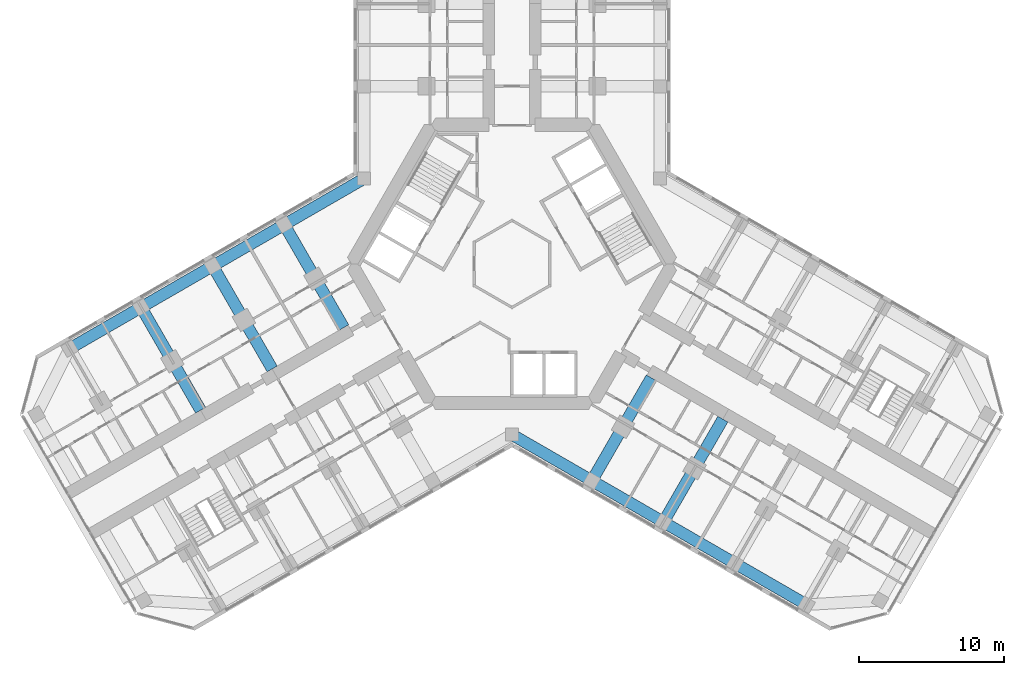
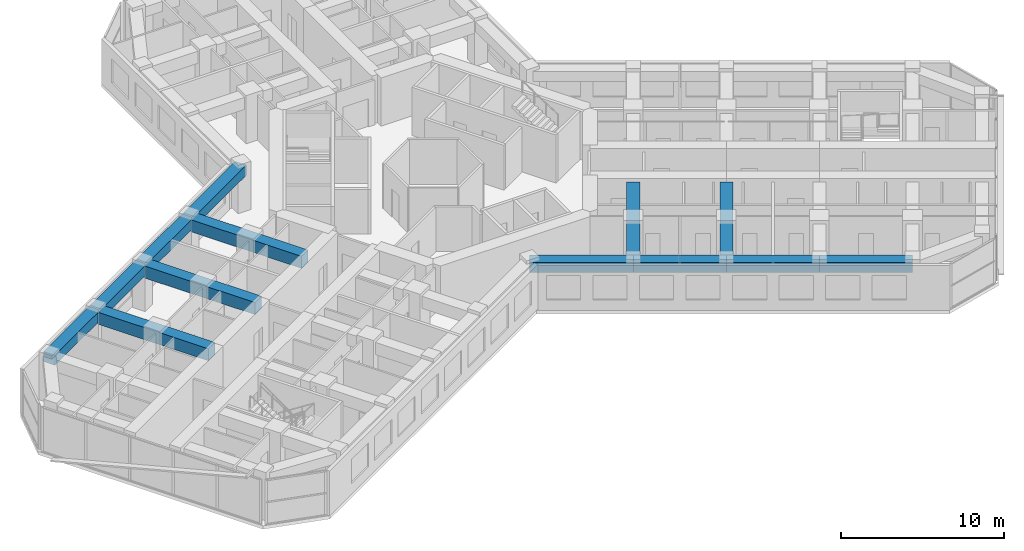
# One storey, part 4 of 19: 13 beams.
"""IFC4 building model written with IfcOpenShell, lengths in metres."""

from ifc_helpers import new_model, si_unit, direction, frame, origin, origin_2d, place, context, subcontext, project, spatial, rectangle, extrude, material, material_profile, profile_set, type_object, element, save


model = new_model("IFC4")

# Units and contexts
model_context = context("Model", 3, precision=1e-05, world=origin(), true_north=direction((0.0, 1.0)))
body_context = subcontext(model_context, "Body", "Model", "MODEL_VIEW")
ifc_project = project(units=[si_unit("LENGTHUNIT", "METRE"), si_unit("AREAUNIT", "SQUARE_METRE"), si_unit("VOLUMEUNIT", "CUBIC_METRE"), si_unit("PLANEANGLEUNIT", "RADIAN"), si_unit("MASSUNIT", "GRAM", prefix="KILO")], contexts=[model_context])

# Site, building, storey
site_placement = place(None, origin())
site = spatial("IfcSite", under=ifc_project, at=site_placement, CompositionType="ELEMENT")
building_placement = place(site_placement, origin())
building = spatial("IfcBuilding", under=site, at=building_placement, Name="Kosmar Iwan School Tower", CompositionType="ELEMENT")
storey_placement = place(building_placement, frame((0.0, 0.0, 168.800048828125)))
storey = spatial("IfcBuildingStorey", under=building, at=storey_placement, Name="L42", CompositionType="ELEMENT", Elevation=168.800048828125)

# Beams
ifc_material_1 = material(Name="Concrete C50/60", Category="concrete")
ifc_material_profile_1 = material_profile(ifc_material_1, rectangle(XDim=0.800048828125, YDim=0.75, at=origin_2d()), Name="RC 800x750")
ifc_profile_set_1 = profile_set([ifc_material_profile_1], Name="Concrete C50/60")
beam_type_1 = type_object("IfcBeamType", Name="RC edge beam 800x750", PredefinedType="BEAM", material=ifc_profile_set_1)
beam_1_placement = place(storey_placement, frame((-10.199951171875, 5.888916015625, 2.974853515625), z_axis=(-0.866030912664, -0.49999045822, 0.0), x_axis=(0.49999045822, -0.866030912664, 0.0)))
element("IfcBeam", 1, at=beam_1_placement, inside=storey, type_object=beam_type_1, Name="Edge beam BR1", PredefinedType="BEAM", context=body_context, shape_type="SweptSolid", body=[
    extrude(rectangle(XDim=0.800048828125, YDim=0.75, at=origin_2d()), origin(), (0.0, 0.0, 1.0), 6.36083984375),
])
beam_2_placement = place(storey_placement, frame((-15.708740234375, 2.70849609375, 2.974853515625), z_axis=(-0.866025820012, -0.499999279071, 0.0), x_axis=(0.499999279071, -0.866025820012, 0.0)))
element("IfcBeam", 2, at=beam_2_placement, inside=storey, type_object=beam_type_1, Name="Edge beam BR2", PredefinedType="BEAM", context=body_context, shape_type="SweptSolid", body=[
    extrude(rectangle(XDim=0.800048828125, YDim=0.75, at=origin_2d()), origin(), (0.0, 0.0, 1.0), 5.7001953125),
])
for number, where, z_axis, x_axis, name in (
    (3, (-20.645263671875, -0.1416015625, 2.974853515625), (-0.866033658841, -0.49998570155, 0.0), (0.49998570155, -0.866033658841, 0.0), "Edge beam BR3"),
    (4, (-25.58154296875, -2.991455078125, 2.974853515625), (-0.866015111908, -0.50001782563, 0.0), (0.50001782563, -0.866015111908, 0.0), "Edge beam BR4"),
):
    element("IfcBeam", number, at=place(storey_placement, frame(where, z_axis=z_axis, x_axis=x_axis)), inside=storey, type_object=beam_type_1, Name=name, PredefinedType="BEAM", context=body_context, shape_type="SweptSolid", body=[
        extrude(rectangle(XDim=0.800048828125, YDim=0.75, at=origin_2d()), origin(), (0.0, 0.0, 1.0), 5.699951171875),
    ])
beam_3_placement = place(storey_placement, frame((0.0, -11.77783203125, 2.974853515625), z_axis=(0.866014293216, -0.500019243575, 0.0), x_axis=(0.500019243575, 0.866014293216, 0.0)))
element("IfcBeam", 5, at=beam_3_placement, inside=storey, type_object=beam_type_1, Name="Edge beam CR1", PredefinedType="BEAM", context=body_context, shape_type="SweptSolid", body=[
    extrude(rectangle(XDim=0.800048828125, YDim=0.75, at=origin_2d()), origin(), (0.0, 0.0, 1.0), 6.361083984375),
])
beam_4_placement = place(storey_placement, frame((5.5087890625, -14.95849609375, 2.974853515625), z_axis=(0.866033658841, -0.49998570155, 0.0), x_axis=(0.49998570155, 0.866033658841, 0.0)))
element("IfcBeam", 6, at=beam_4_placement, inside=storey, type_object=beam_type_1, Name="Edge beam CR2", PredefinedType="BEAM", context=body_context, shape_type="SweptSolid", body=[
    extrude(rectangle(XDim=0.800048828125, YDim=0.75, at=origin_2d()), origin(), (0.0, 0.0, 1.0), 5.699951171875),
])
beam_5_placement = place(storey_placement, frame((10.445068359375, -17.808349609375, 2.974853515625), z_axis=(0.866025820012, -0.499999279071, 0.0), x_axis=(0.499999279071, 0.866025820012, 0.0)))
element("IfcBeam", 7, at=beam_5_placement, inside=storey, type_object=beam_type_1, Name="Edge beam CR3", PredefinedType="BEAM", context=body_context, shape_type="SweptSolid", body=[
    extrude(rectangle(XDim=0.800048828125, YDim=0.75, at=origin_2d()), origin(), (0.0, 0.0, 1.0), 5.7001953125),
])
beam_6_placement = place(storey_placement, frame((15.381591796875, -20.658447265625, 2.974853515625), z_axis=(0.866015111908, -0.50001782563, 0.0), x_axis=(0.50001782563, 0.866015111908, 0.0)))
element("IfcBeam", 8, at=beam_6_placement, inside=storey, type_object=beam_type_1, Name="Edge beam CR4", PredefinedType="BEAM", context=body_context, shape_type="SweptSolid", body=[
    extrude(rectangle(XDim=0.800048828125, YDim=0.75, at=origin_2d()), origin(), (0.0, 0.0, 1.0), 5.699951171875),
])
ifc_material_2 = material(Name="Concrete C50/60", Category="concrete")
ifc_material_profile_2 = material_profile(ifc_material_2, rectangle(XDim=0.800048828125, YDim=0.89990234375, at=origin_2d()), Name="RC 800x900")
ifc_profile_set_2 = profile_set([ifc_material_profile_2], Name="Concrete C50/60")
beam_type_2 = type_object("IfcBeamType", Name="RC transverse beam 800x900", PredefinedType="BEAM", material=ifc_profile_set_2)
for number, where, z_axis, x_axis, name in (
    (9, (-15.708740234375, 2.70849609375, 2.89990234375), (0.499978459874, -0.866037839625, 0.0), (0.866037839625, 0.499978459874, 0.0), "Transverse beam BR1"),
    (10, (-20.645263671875, -0.1416015625, 2.89990234375), (0.500013681986, -0.866017504342, 0.0), (0.866017504342, 0.500013681986, 0.0), "Transverse beam BR2"),
):
    element("IfcBeam", number, at=place(storey_placement, frame(where, z_axis=z_axis, x_axis=x_axis)), inside=storey, type_object=beam_type_2, Name=name, PredefinedType="BEAM", context=body_context, shape_type="SweptSolid", body=[
        extrude(rectangle(XDim=0.800048828125, YDim=0.89990234375, at=origin_2d()), origin(), (0.0, 0.0, 1.0), 8.199951171875),
    ])
for number, where, z_axis, x_axis, name in (
    (11, (-25.58154296875, -2.991455078125, 2.89990234375), (0.500000789788, -0.8660249478, 0.0), (0.8660249478, 0.500000789788, 0.0), "Transverse beam BR3"),
    (12, (5.5087890625, -14.95849609375, 2.89990234375), (0.500000789788, 0.8660249478, 0.0), (-0.8660249478, 0.500000789788, 0.0), "Transverse beam CR1"),
):
    element("IfcBeam", number, at=place(storey_placement, frame(where, z_axis=z_axis, x_axis=x_axis)), inside=storey, type_object=beam_type_2, Name=name, PredefinedType="BEAM", context=body_context, shape_type="SweptSolid", body=[
        extrude(rectangle(XDim=0.800048828125, YDim=0.89990234375, at=origin_2d()), origin(), (0.0, 0.0, 1.0), 8.2001953125),
    ])
beam_7_placement = place(storey_placement, frame((10.445068359375, -17.808349609375, 2.89990234375), z_axis=(0.500013681986, 0.866017504342, 0.0), x_axis=(-0.866017504342, 0.500013681986, 0.0)))
element("IfcBeam", 13, at=beam_7_placement, inside=storey, type_object=beam_type_2, Name="Transverse beam CR2", PredefinedType="BEAM", context=body_context, shape_type="SweptSolid", body=[
    extrude(rectangle(XDim=0.800048828125, YDim=0.89990234375, at=origin_2d()), origin(), (0.0, 0.0, 1.0), 8.199951171875),
])

save(model, "model.ifc")
